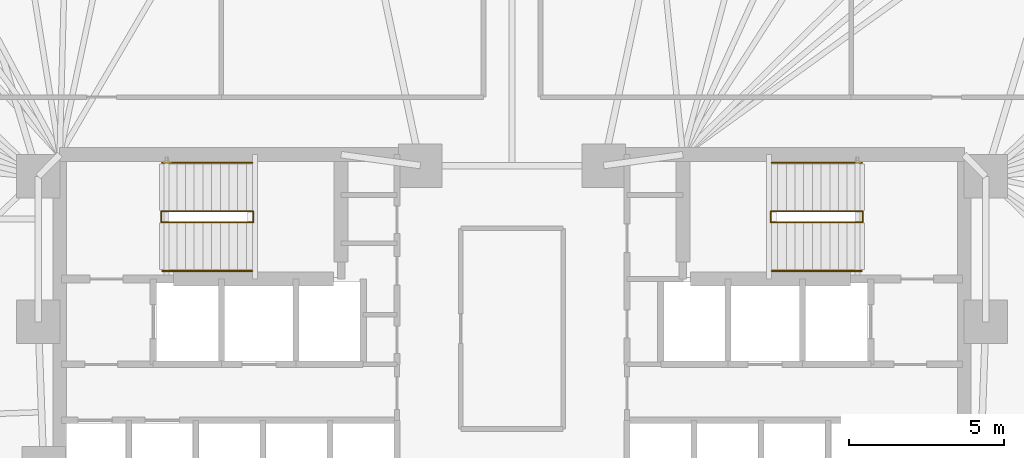
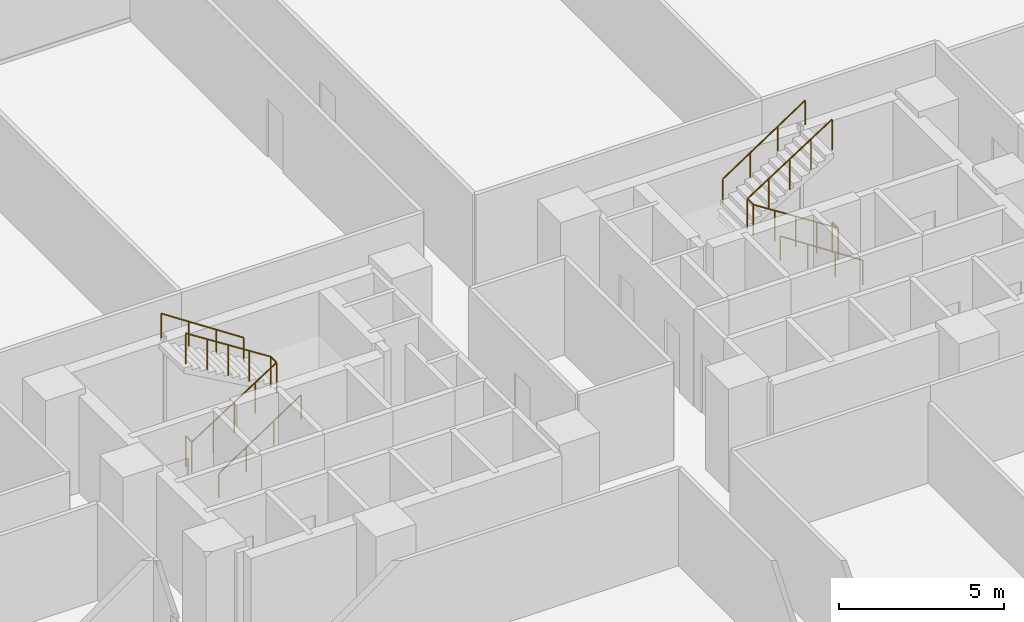
# One storey, part 17 of 17: 6 railings.
"""IFC4 building model written with IfcOpenShell, lengths in metres."""

from ifc_helpers import new_model, si_unit, direction, frame, origin, origin_2d, place, context, subcontext, project, spatial, circle, extrude, material, type_object, element, save


model = new_model("IFC4")

# Units and contexts
model_context = context("Model", 3, precision=1e-05, world=origin(), true_north=direction((0.0, 1.0)))
body_context = subcontext(model_context, "Body", "Model", "MODEL_VIEW")
ifc_project = project(units=[si_unit("LENGTHUNIT", "METRE"), si_unit("AREAUNIT", "SQUARE_METRE"), si_unit("VOLUMEUNIT", "CUBIC_METRE"), si_unit("PLANEANGLEUNIT", "RADIAN"), si_unit("MASSUNIT", "GRAM", prefix="KILO")], contexts=[model_context])

# Site, building, storey
site_placement = place(None, origin())
site = spatial("IfcSite", under=ifc_project, at=site_placement, CompositionType="ELEMENT")
building_placement = place(site_placement, origin())
building = spatial("IfcBuilding", under=site, at=building_placement, Name="Menara Jurai Vektor", CompositionType="ELEMENT")
storey_placement = place(building_placement, frame((0.0, 0.0, 21.800048828125)))
storey = spatial("IfcBuildingStorey", under=building, at=storey_placement, Name="L04", CompositionType="ELEMENT", Elevation=21.800048828125)

# Railings
ifc_material_1 = material(Name="Painted Galvanised Steel Balustrade", Category="steel")
railing_type_1 = type_object("IfcRailingType", Name="RAIL-STAIR-GUARD", PredefinedType="GUARDRAIL", material=ifc_material_1)
railing_1_placement = place(storey_placement, frame((-11.2900390625, 3.780029296875, 0.0)))
element("IfcRailing", 1, at=railing_1_placement, inside=storey, type_object=railing_type_1, Name="ST1 Stair Guardrail 1 L04", PredefinedType="GUARDRAIL", context=body_context, shape_type="SweptSolid", body=[
    extrude(circle(Radius=0.02392578125, at=origin_2d()), frame((0.0, 0.0, 1.1259765625), z_axis=(0.0, -1.0, 0.0), x_axis=(1.0, 0.0, 0.0)), (0.0, 0.0, 1.0), 0.360107421875),
    extrude(circle(Radius=0.02392578125, at=origin_2d()), frame((0.0, -0.360107421875, 1.1259765625), z_axis=(0.841557155905, 0.0, 0.540168078791), x_axis=(0.0, 1.0, 0.0)), (0.0, 0.0, 1.0), 3.517333984375),
    extrude(circle(Radius=0.02392578125, at=origin_2d()), frame((2.9599609375, -0.360107421875, 3.02587890625), z_axis=(0.0, 1.0, 0.0), x_axis=(-1.0, 0.0, 0.0)), (0.0, 0.0, 1.0), 0.360107421875),
    extrude(circle(Radius=0.02392578125, at=origin_2d()), frame((2.9599609375, 0.0, 3.02587890625), z_axis=(-0.841525601958, 0.0, 0.540217235239), x_axis=(0.0, -1.0, 0.0)), (0.0, 0.0, 1.0), 3.517333984375),
    extrude(circle(Radius=0.02099609375, at=origin_2d()), origin(), (0.0, 0.0, 1.0), 1.101806640625),
    extrude(circle(Radius=0.02099609375, at=origin_2d()), frame((0.0, -0.360107421875, 0.0)), (0.0, 0.0, 1.0), 1.101806640625),
    extrude(circle(Radius=0.02099609375, at=origin_2d()), frame((0.739990234375, -0.360107421875, 0.47509765625)), (0.0, 0.0, 1.0), 1.101806640625),
    extrude(circle(Radius=0.02099609375, at=origin_2d()), frame((1.47998046875, -0.360107421875, 0.949951171875)), (0.0, 0.0, 1.0), 1.101806640625),
    extrude(circle(Radius=0.02099609375, at=origin_2d()), frame((2.219970703125, -0.360107421875, 1.4248046875)), (0.0, 0.0, 1.0), 1.101806640625),
    extrude(circle(Radius=0.02099609375, at=origin_2d()), frame((2.9599609375, -0.360107421875, 1.89990234375)), (0.0, 0.0, 1.0), 1.101806640625),
    extrude(circle(Radius=0.02099609375, at=origin_2d()), frame((2.9599609375, 0.0, 1.89990234375)), (0.0, 0.0, 1.0), 1.101806640625),
    extrude(circle(Radius=0.02099609375, at=origin_2d()), frame((2.219970703125, 0.0, 2.375)), (0.0, 0.0, 1.0), 1.101806640625),
    extrude(circle(Radius=0.02099609375, at=origin_2d()), frame((1.47998046875, 0.0, 2.85009765625)), (0.0, 0.0, 1.0), 1.101806640625),
    extrude(circle(Radius=0.02099609375, at=origin_2d()), frame((0.739990234375, 0.0, 3.324951171875)), (0.0, 0.0, 1.0), 1.101806640625),
    extrude(circle(Radius=0.02099609375, at=origin_2d()), frame((0.0, 0.0, 3.800048828125)), (0.0, 0.0, 1.0), 1.101806640625),
])
railing_2_placement = place(storey_placement, frame((11.2900390625, 3.780029296875, 0.0)))
element("IfcRailing", 2, at=railing_2_placement, inside=storey, type_object=railing_type_1, Name="ST2 Stair Guardrail 1 L04", PredefinedType="GUARDRAIL", context=body_context, shape_type="SweptSolid", body=[
    extrude(circle(Radius=0.02392578125, at=origin_2d()), frame((0.0, 0.0, 1.1259765625), z_axis=(0.0, -1.0, 0.0), x_axis=(1.0, 0.0, 0.0)), (0.0, 0.0, 1.0), 0.360107421875),
    extrude(circle(Radius=0.02392578125, at=origin_2d()), frame((0.0, -0.360107421875, 1.1259765625), z_axis=(-0.841557155905, 0.0, 0.540168078791), x_axis=(0.0, -1.0, 0.0)), (0.0, 0.0, 1.0), 3.517333984375),
    extrude(circle(Radius=0.02392578125, at=origin_2d()), frame((-2.9599609375, -0.360107421875, 3.02587890625), z_axis=(0.0, 1.0, 0.0), x_axis=(-1.0, 0.0, 0.0)), (0.0, 0.0, 1.0), 0.360107421875),
    extrude(circle(Radius=0.02392578125, at=origin_2d()), frame((-2.9599609375, 0.0, 3.02587890625), z_axis=(0.841525601958, 0.0, 0.540217235239), x_axis=(0.0, 1.0, 0.0)), (0.0, 0.0, 1.0), 3.517333984375),
    extrude(circle(Radius=0.02099609375, at=origin_2d()), origin(), (0.0, 0.0, 1.0), 1.101806640625),
    extrude(circle(Radius=0.02099609375, at=origin_2d()), frame((0.0, -0.360107421875, 0.0)), (0.0, 0.0, 1.0), 1.101806640625),
    extrude(circle(Radius=0.02099609375, at=origin_2d()), frame((-0.739990234375, -0.360107421875, 0.47509765625)), (0.0, 0.0, 1.0), 1.101806640625),
    extrude(circle(Radius=0.02099609375, at=origin_2d()), frame((-1.47998046875, -0.360107421875, 0.949951171875)), (0.0, 0.0, 1.0), 1.101806640625),
    extrude(circle(Radius=0.02099609375, at=origin_2d()), frame((-2.219970703125, -0.360107421875, 1.4248046875)), (0.0, 0.0, 1.0), 1.101806640625),
    extrude(circle(Radius=0.02099609375, at=origin_2d()), frame((-2.9599609375, -0.360107421875, 1.89990234375)), (0.0, 0.0, 1.0), 1.101806640625),
    extrude(circle(Radius=0.02099609375, at=origin_2d()), frame((-2.9599609375, 0.0, 1.89990234375)), (0.0, 0.0, 1.0), 1.101806640625),
    extrude(circle(Radius=0.02099609375, at=origin_2d()), frame((-2.219970703125, 0.0, 2.375)), (0.0, 0.0, 1.0), 1.101806640625),
    extrude(circle(Radius=0.02099609375, at=origin_2d()), frame((-1.47998046875, 0.0, 2.85009765625)), (0.0, 0.0, 1.0), 1.101806640625),
    extrude(circle(Radius=0.02099609375, at=origin_2d()), frame((-0.739990234375, 0.0, 3.324951171875)), (0.0, 0.0, 1.0), 1.101806640625),
    extrude(circle(Radius=0.02099609375, at=origin_2d()), frame((0.0, 0.0, 3.800048828125)), (0.0, 0.0, 1.0), 1.101806640625),
])
ifc_material_2 = material(Name="Brushed Stainless Steel Handrail", Category="steel")
railing_type_2 = type_object("IfcRailingType", Name="RAIL-STAIR-HAND", PredefinedType="HANDRAIL", material=ifc_material_2)
railing_3_placement = place(storey_placement, frame((-11.25, 1.860107421875, 0.0)))
element("IfcRailing", 3, at=railing_3_placement, inside=storey, type_object=railing_type_2, Name="ST1 Stair Handrail 1 L04", PredefinedType="HANDRAIL", context=body_context, shape_type="SweptSolid", body=[
    extrude(circle(Radius=0.02392578125, at=origin_2d()), frame((0.0, 0.0, 0.89599609375), z_axis=(0.834718698933, 0.0, 0.550676578085), x_axis=(0.0, 1.0, 0.0)), (0.0, 0.0, 1.0), 3.4501953125),
    extrude(circle(Radius=0.02099609375, at=origin_2d()), origin(), (0.0, 0.0, 1.0), 0.871826171875),
    extrude(circle(Radius=0.02099609375, at=origin_2d()), frame((0.9599609375, 0.0, 0.63330078125)), (0.0, 0.0, 1.0), 0.871826171875),
    extrude(circle(Radius=0.02099609375, at=origin_2d()), frame((1.919921875, 0.0, 1.2666015625)), (0.0, 0.0, 1.0), 0.871826171875),
    extrude(circle(Radius=0.02099609375, at=origin_2d()), frame((2.8798828125, 0.0, 1.89990234375)), (0.0, 0.0, 1.0), 0.871826171875),
])
railing_4_placement = place(storey_placement, frame((-8.3701171875, 5.340087890625, 1.89990234375)))
element("IfcRailing", 4, at=railing_4_placement, inside=storey, type_object=railing_type_2, Name="ST1 Stair Handrail 2 L04", PredefinedType="HANDRAIL", context=body_context, shape_type="SweptSolid", body=[
    extrude(circle(Radius=0.02392578125, at=origin_2d()), frame((0.0, 0.0, 0.89599609375), z_axis=(-0.834686171885, 0.0, 0.550725879602), x_axis=(0.0, -1.0, 0.0)), (0.0, 0.0, 1.0), 3.4501953125),
    extrude(circle(Radius=0.02099609375, at=origin_2d()), origin(), (0.0, 0.0, 1.0), 0.871826171875),
    extrude(circle(Radius=0.02099609375, at=origin_2d()), frame((-0.9599609375, 0.0, 0.63330078125)), (0.0, 0.0, 1.0), 0.871826171875),
    extrude(circle(Radius=0.02099609375, at=origin_2d()), frame((-1.919921875, 0.0, 1.266845703125)), (0.0, 0.0, 1.0), 0.871826171875),
    extrude(circle(Radius=0.02099609375, at=origin_2d()), frame((-2.8798828125, 0.0, 1.900146484375)), (0.0, 0.0, 1.0), 0.871826171875),
])
railing_5_placement = place(storey_placement, frame((11.25, 1.860107421875, 0.0)))
element("IfcRailing", 5, at=railing_5_placement, inside=storey, type_object=railing_type_2, Name="ST2 Stair Handrail 1 L04", PredefinedType="HANDRAIL", context=body_context, shape_type="SweptSolid", body=[
    extrude(circle(Radius=0.02392578125, at=origin_2d()), frame((0.0, 0.0, 0.89599609375), z_axis=(-0.834718698933, 0.0, 0.550676578085), x_axis=(0.0, -1.0, 0.0)), (0.0, 0.0, 1.0), 3.4501953125),
    extrude(circle(Radius=0.02099609375, at=origin_2d()), origin(), (0.0, 0.0, 1.0), 0.871826171875),
    extrude(circle(Radius=0.02099609375, at=origin_2d()), frame((-0.9599609375, 0.0, 0.63330078125)), (0.0, 0.0, 1.0), 0.871826171875),
    extrude(circle(Radius=0.02099609375, at=origin_2d()), frame((-1.919921875, 0.0, 1.2666015625)), (0.0, 0.0, 1.0), 0.871826171875),
    extrude(circle(Radius=0.02099609375, at=origin_2d()), frame((-2.8798828125, 0.0, 1.89990234375)), (0.0, 0.0, 1.0), 0.871826171875),
])
railing_6_placement = place(storey_placement, frame((8.3701171875, 5.340087890625, 1.89990234375)))
element("IfcRailing", 6, at=railing_6_placement, inside=storey, type_object=railing_type_2, Name="ST2 Stair Handrail 2 L04", PredefinedType="HANDRAIL", context=body_context, shape_type="SweptSolid", body=[
    extrude(circle(Radius=0.02392578125, at=origin_2d()), frame((0.0, 0.0, 0.89599609375), z_axis=(0.834686171885, 0.0, 0.550725879602), x_axis=(0.0, 1.0, 0.0)), (0.0, 0.0, 1.0), 3.4501953125),
    extrude(circle(Radius=0.02099609375, at=origin_2d()), origin(), (0.0, 0.0, 1.0), 0.871826171875),
    extrude(circle(Radius=0.02099609375, at=origin_2d()), frame((0.9599609375, 0.0, 0.63330078125)), (0.0, 0.0, 1.0), 0.871826171875),
    extrude(circle(Radius=0.02099609375, at=origin_2d()), frame((1.919921875, 0.0, 1.266845703125)), (0.0, 0.0, 1.0), 0.871826171875),
    extrude(circle(Radius=0.02099609375, at=origin_2d()), frame((2.8798828125, 0.0, 1.900146484375)), (0.0, 0.0, 1.0), 0.871826171875),
])

save(model, "model.ifc")
